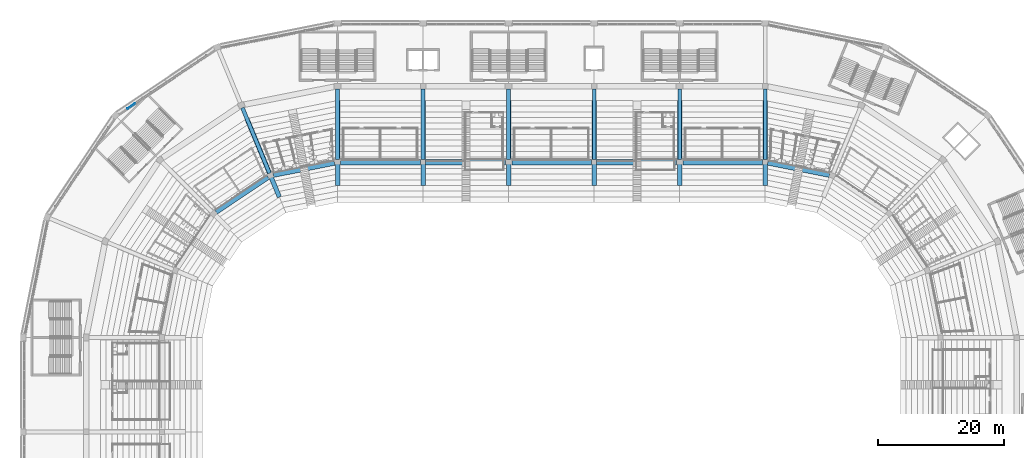
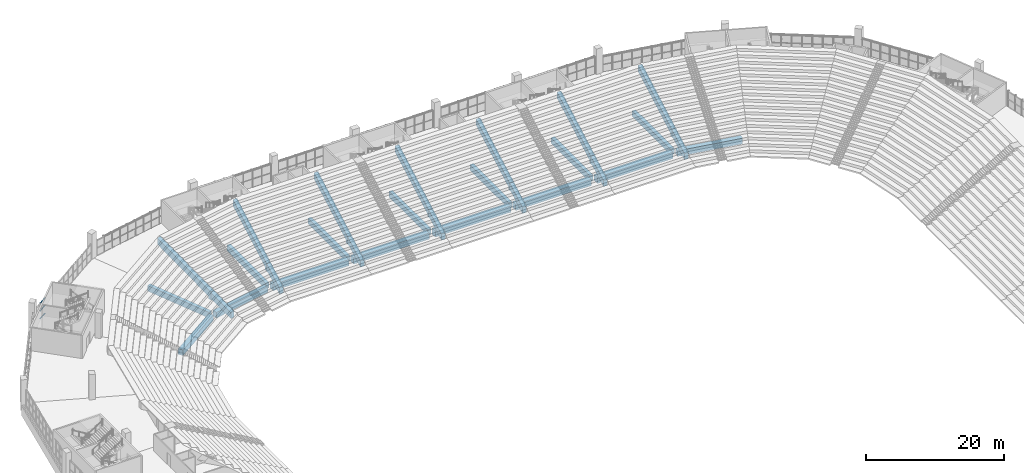
# One storey, part 47 of 249: 29 beams, 3 members, 1 element without a shape of its own.
"""IFC4 building model written with IfcOpenShell, lengths in metres."""

from ifc_helpers import new_model, si_unit, direction, frame, origin, origin_2d, place, context, subcontext, project, spatial, polyline, rectangle, outline, extrude, material, material_profile, profile_set, type_object, element, aggregate, save


model = new_model("IFC4")

# Units and contexts
model_context = context("Model", 3, precision=1e-05, world=origin(), true_north=direction((0.0, 1.0)))
body_context = subcontext(model_context, "Body", "Model", "MODEL_VIEW")
ifc_project = project(units=[si_unit("LENGTHUNIT", "METRE"), si_unit("AREAUNIT", "SQUARE_METRE"), si_unit("VOLUMEUNIT", "CUBIC_METRE"), si_unit("PLANEANGLEUNIT", "RADIAN"), si_unit("MASSUNIT", "GRAM", prefix="KILO")], contexts=[model_context])

# Site, building, storey
site_placement = place(None, origin())
site = spatial("IfcSite", under=ifc_project, at=site_placement, CompositionType="ELEMENT")
building_placement = place(site_placement, origin())
building = spatial("IfcBuilding", under=site, at=building_placement, Name="Ogive Plaza Stadium", CompositionType="ELEMENT")
storey_placement = place(building_placement, frame((0.0, 0.0, 13.5)))
storey = spatial("IfcBuildingStorey", under=building, at=storey_placement, Name="L03", CompositionType="ELEMENT", Elevation=13.5)

# Curtain wall, members
ifc_material_1 = material(Name="Bronze-anodised aluminium with laminated glass", Category="aluminium")
curtain_wall_type = type_object("IfcCurtainWallType", Name="Lancet curtain wall", PredefinedType="NOTDEFINED", material=ifc_material_1)
curtain_wall_placement = place(storey_placement, origin())
curtain_wall = element("IfcCurtainWall", 1, at=curtain_wall_placement, inside=storey, type_object=curtain_wall_type, Name="CURTAIN WALL B30 L03", PredefinedType="NOTDEFINED")
ifc_material_2 = material(Name="Bronze-anodised aluminium", Category="aluminium")
ifc_material_profile_1 = material_profile(ifc_material_2, rectangle(XDim=0.1201171875, YDim=0.050048828125, at=origin_2d()), Name="AL 120x50")
ifc_profile_set_1 = profile_set([ifc_material_profile_1], Name="Bronze-anodised aluminium")
member_type = type_object("IfcMemberType", Name="Curtain wall transom 50x120", PredefinedType="USERDEFINED", material=ifc_profile_set_1)
member_1_placement = place(storey_placement, frame((-67.441650390625, 88.893310546875, 0.02490234375), z_axis=(0.831411982446, 0.555656472512, 0.0), x_axis=(-0.555656472512, 0.831411982446, 0.0)))
member_1 = element("IfcMember", 2, at=member_1_placement, type_object=member_type, Name="CW-B30-L03 transom 2.1", ObjectType="TRANSOM", PredefinedType="USERDEFINED", context=body_context, shape_type="SweptSolid", body=[
    extrude(rectangle(XDim=0.1201171875, YDim=0.050048828125, at=origin_2d()), origin(), (0.0, 0.0, 1.0), 1.472412109375),
])
member_2_placement = place(storey_placement, frame((-67.441650390625, 88.893310546875, 1.39501953125), z_axis=(0.831411982446, 0.555656472512, 0.0), x_axis=(-0.555656472512, 0.831411982446, 0.0)))
member_2 = element("IfcMember", 3, at=member_2_placement, type_object=member_type, Name="CW-B30-L03 transom 2.2", ObjectType="TRANSOM", PredefinedType="USERDEFINED", context=body_context, shape_type="SweptSolid", body=[
    extrude(rectangle(XDim=0.1201171875, YDim=0.050048828125, at=origin_2d()), origin(), (0.0, 0.0, 1.0), 1.472412109375),
])
member_3_placement = place(storey_placement, frame((-67.441650390625, 88.893310546875, 2.764892578125), z_axis=(0.831411982446, 0.555656472512, 0.0), x_axis=(-0.555656472512, 0.831411982446, 0.0)))
member_3 = element("IfcMember", 4, at=member_3_placement, type_object=member_type, Name="CW-B30-L03 transom 2.3", ObjectType="TRANSOM", PredefinedType="USERDEFINED", context=body_context, shape_type="SweptSolid", body=[
    extrude(rectangle(XDim=0.1201171875, YDim=0.050048828125, at=origin_2d()), origin(), (0.0, 0.0, 1.0), 1.472412109375),
])
aggregate(curtain_wall, [member_1, member_2, member_3])

# Beams
ifc_material_3 = material(Name="Concrete C45/55 precast", Category="concrete")
ifc_material_profile_2 = material_profile(ifc_material_3, rectangle(XDim=0.699951171875, YDim=1.10009765625, at=origin_2d()), Name="RC 700x1100")
ifc_profile_set_2 = profile_set([ifc_material_profile_2], Name="Concrete C45/55 precast")
beam_type_1 = type_object("IfcBeamType", Name="Precast raker UT back-span 700x1100", PredefinedType="USERDEFINED", material=ifc_profile_set_2)
for number, where, z_axis, x_axis, name in (
    (5, (-34.0, 52.5, -13.5), (0.0, 0.0, 1.0), (-0.382683432365, 0.923879532511, 0.0), "RAKER UT BACK-SPAN R31"),
    (6, (-34.0, 52.5, -13.5), (0.0, 0.0, 1.0), (0.0, 1.0, 0.0), "RAKER UT BACK-SPAN R32"),
    (7, (-20.39990234375, 52.5, -13.5), (0.0, 0.0, 1.0), (0.0, 1.0, 0.0), "RAKER UT BACK-SPAN R33"),
    (8, (-6.800048828125, 52.5, -13.5), (0.0, 0.0, 1.0), (0.0, 1.0, 0.0), "RAKER UT BACK-SPAN R34"),
    (9, (6.800048828125, 52.5, -13.5), (0.0, 0.0, 1.0), (0.0, 1.0, 0.0), "RAKER UT BACK-SPAN R35"),
    (10, (20.39990234375, 52.5, -13.5), (0.0, 0.0, 1.0), (0.0, 1.0, 0.0), "RAKER UT BACK-SPAN R36"),
    (11, (34.0, 52.5, -13.5), (0.0, 0.0, 1.0), (0.0, 1.0, 0.0), "RAKER UT BACK-SPAN R37"),
):
    element("IfcBeam", number, at=place(storey_placement, frame(where, z_axis=z_axis, x_axis=x_axis)), inside=storey, type_object=beam_type_1, Name=name, ObjectType="RAKER", PredefinedType="USERDEFINED", context=body_context, shape_type="SweptSolid", body=[
        extrude(outline(polyline([(27.89990234375, 15.533203125), (28.300048828125, 15.533203125), (28.300048828125, 15.977783203125), (37.699951171875, 21.199951171875), (37.699951171875, 22.300048828125), (27.89990234375, 16.855712890625), (27.89990234375, 15.533203125)])), frame((0.0, 0.35009765625, 0.0), z_axis=(0.0, -1.0, 0.0), x_axis=(1.0, 0.0, 0.0)), (0.0, 0.0, 1.0), 0.699951171875),
    ])
ifc_material_4 = material(Name="Concrete C45/55 precast", Category="concrete")
ifc_material_profile_3 = material_profile(ifc_material_4, rectangle(XDim=0.699951171875, YDim=1.10009765625, at=origin_2d()), Name="RC 700x1100")
ifc_profile_set_3 = profile_set([ifc_material_profile_3], Name="Concrete C45/55 precast")
beam_type_2 = type_object("IfcBeamType", Name="Precast raker UT cantilever 700x1100", PredefinedType="USERDEFINED", material=ifc_profile_set_3)
for number, where, z_axis, x_axis, name in (
    (12, (-34.0, 52.5, -13.5), (0.0, 0.0, 1.0), (-0.382683432365, 0.923879532511, 0.0), "RAKER UT CANTILEVER R31"),
    (13, (-34.0, 52.5, -13.5), (0.0, 0.0, 1.0), (0.0, 1.0, 0.0), "RAKER UT CANTILEVER R32"),
    (14, (-20.39990234375, 52.5, -13.5), (0.0, 0.0, 1.0), (0.0, 1.0, 0.0), "RAKER UT CANTILEVER R33"),
    (15, (-6.800048828125, 52.5, -13.5), (0.0, 0.0, 1.0), (0.0, 1.0, 0.0), "RAKER UT CANTILEVER R34"),
    (16, (6.800048828125, 52.5, -13.5), (0.0, 0.0, 1.0), (0.0, 1.0, 0.0), "RAKER UT CANTILEVER R35"),
    (17, (20.39990234375, 52.5, -13.5), (0.0, 0.0, 1.0), (0.0, 1.0, 0.0), "RAKER UT CANTILEVER R36"),
    (18, (34.0, 52.5, -13.5), (0.0, 0.0, 1.0), (0.0, 1.0, 0.0), "RAKER UT CANTILEVER R37"),
):
    element("IfcBeam", number, at=place(storey_placement, frame(where, z_axis=z_axis, x_axis=x_axis)), inside=storey, type_object=beam_type_2, Name=name, ObjectType="RAKER", PredefinedType="USERDEFINED", context=body_context, shape_type="SweptSolid", body=[
        extrude(outline(polyline([(24.199951171875, 13.699951171875), (27.5, 15.533203125), (27.89990234375, 15.533203125), (27.89990234375, 16.855712890625), (24.199951171875, 14.800048828125), (24.199951171875, 13.699951171875)])), frame((0.0, 0.35009765625, 0.0), z_axis=(0.0, -1.0, 0.0), x_axis=(1.0, 0.0, 0.0)), (0.0, 0.0, 1.0), 0.699951171875),
    ])
ifc_material_5 = material(Name="Concrete C40/50", Category="concrete")
ifc_material_profile_4 = material_profile(ifc_material_5, rectangle(XDim=0.60009765625, YDim=1.0, at=origin_2d()), Name="RC 600x1000")
ifc_profile_set_4 = profile_set([ifc_material_profile_4], Name="Concrete C40/50")
beam_type_3 = type_object("IfcBeamType", Name="RC radial beam 600x1000", PredefinedType="BEAM", material=ifc_profile_set_4)
beam_1_placement = place(storey_placement, frame((-44.829833984375, 78.645751953125, -0.909912109375), z_axis=(-0.382677616283, 0.92388194159, 0.0), x_axis=(-0.92388194159, -0.382677616283, 0.0)))
element("IfcBeam", 19, at=beam_1_placement, inside=storey, type_object=beam_type_3, Name="Radial beam L03 R31 F3F4", PredefinedType="BEAM", context=body_context, shape_type="SweptSolid", body=[
    extrude(rectangle(XDim=0.60009765625, YDim=1.0, at=origin_2d()), origin(), (0.0, 0.0, 1.0), 11.250244140625),
])
for number, where, z_axis, x_axis, name in (
    (20, (-34.0, 80.800048828125, -0.909912109375), (0.0, 1.0, 0.0), (-1.0, 0.0, 0.0), "Radial beam L03 R32 F3F4"),
    (21, (-20.39990234375, 80.800048828125, -0.909912109375), (0.0, 1.0, 0.0), (-1.0, 0.0, 0.0), "Radial beam L03 R33 F3F4"),
    (22, (-6.800048828125, 80.800048828125, -0.909912109375), (0.0, 1.0, 0.0), (-1.0, 0.0, 0.0), "Radial beam L03 R34 F3F4"),
    (23, (6.800048828125, 80.800048828125, -0.909912109375), (0.0, 1.0, 0.0), (-1.0, 0.0, 0.0), "Radial beam L03 R35 F3F4"),
    (24, (20.39990234375, 80.800048828125, -0.909912109375), (0.0, 1.0, 0.0), (-1.0, 0.0, 0.0), "Radial beam L03 R36 F3F4"),
    (25, (34.0, 80.800048828125, -0.909912109375), (0.0, 1.0, 0.0), (-1.0, 0.0, 0.0), "Radial beam L03 R37 F3F4"),
):
    element("IfcBeam", number, at=place(storey_placement, frame(where, z_axis=z_axis, x_axis=x_axis)), inside=storey, type_object=beam_type_3, Name=name, PredefinedType="BEAM", context=body_context, shape_type="SweptSolid", body=[
        extrude(rectangle(XDim=0.60009765625, YDim=1.0, at=origin_2d()), origin(), (0.0, 0.0, 1.0), 11.25),
    ])
ifc_material_6 = material(Name="Concrete C40/50", Category="concrete")
ifc_material_profile_5 = material_profile(ifc_material_6, rectangle(XDim=0.800048828125, YDim=1.0, at=origin_2d()), Name="RC 800x1000")
ifc_profile_set_5 = profile_set([ifc_material_profile_5], Name="Concrete C40/50")
beam_type_4 = type_object("IfcBeamType", Name="RC ring beam 800x1000", PredefinedType="BEAM", material=ifc_profile_set_5)
beam_2_placement = place(storey_placement, frame((-53.3466796875, 72.483154296875, -0.909912109375), z_axis=(0.831469573595, 0.555570290949, 0.0), x_axis=(-0.555570290949, 0.831469573595, 0.0)))
element("IfcBeam", 26, at=beam_2_placement, inside=storey, type_object=beam_type_4, Name="Ring beam F3 L03 B30", PredefinedType="BEAM", context=body_context, shape_type="SweptSolid", body=[
    extrude(rectangle(XDim=0.800048828125, YDim=1.0, at=origin_2d()), origin(), (0.0, 0.0, 1.0), 9.96826171875),
])
beam_3_placement = place(storey_placement, frame((-44.226806640625, 78.36572265625, -0.909912109375), z_axis=(0.980784656884, 0.195093456635, 0.0), x_axis=(-0.195093456635, 0.980784656884, 0.0)))
element("IfcBeam", 27, at=beam_3_placement, inside=storey, type_object=beam_type_4, Name="Ring beam F3 L03 B31", PredefinedType="BEAM", context=body_context, shape_type="SweptSolid", body=[
    extrude(rectangle(XDim=0.800048828125, YDim=1.0, at=origin_2d()), origin(), (0.0, 0.0, 1.0), 9.91748046875),
])
beam_4_placement = place(storey_placement, frame((34.39990234375, 80.320556640625, -0.909912109375), z_axis=(0.980782584064, -0.195103876937, 0.0), x_axis=(0.195103876937, 0.980782584064, 0.0)))
element("IfcBeam", 28, at=beam_4_placement, inside=storey, type_object=beam_type_4, Name="Ring beam F3 L03 B37", PredefinedType="BEAM", context=body_context, shape_type="SweptSolid", body=[
    extrude(rectangle(XDim=0.800048828125, YDim=1.0, at=origin_2d()), origin(), (0.0, 0.0, 1.0), 10.01953125),
])
ifc_material_7 = material(Name="Concrete C40/50", Category="concrete")
ifc_material_profile_6 = material_profile(ifc_material_7, rectangle(XDim=0.89990234375, YDim=1.10009765625, at=origin_2d()), Name="RC 900x1100")
ifc_profile_set_6 = profile_set([ifc_material_profile_6], Name="Concrete C40/50")
beam_type_5 = type_object("IfcBeamType", Name="RC ring beam 900x1100", PredefinedType="BEAM", material=ifc_profile_set_6)
for number, where, z_axis, x_axis, name in (
    (29, (-33.5, 80.39990234375, -0.9599609375), (1.0, 0.0, 0.0), (0.0, 1.0, 0.0), "Ring beam F3 L03 B32"),
    (30, (-20.0, 80.39990234375, -0.9599609375), (1.0, 0.0, 0.0), (0.0, 1.0, 0.0), "Ring beam F3 L03 B33"),
    (31, (-6.300048828125, 80.39990234375, -0.9599609375), (1.0, 0.0, 0.0), (0.0, 1.0, 0.0), "Ring beam F3 L03 B34"),
    (32, (7.199951171875, 80.39990234375, -0.9599609375), (1.0, 0.0, 0.0), (0.0, 1.0, 0.0), "Ring beam F3 L03 B35"),
):
    element("IfcBeam", number, at=place(storey_placement, frame(where, z_axis=z_axis, x_axis=x_axis)), inside=storey, type_object=beam_type_5, Name=name, PredefinedType="BEAM", context=body_context, shape_type="SweptSolid", body=[
        extrude(rectangle(XDim=0.89990234375, YDim=1.10009765625, at=origin_2d()), origin(), (0.0, 0.0, 1.0), 12.699951171875),
    ])
beam_5_placement = place(storey_placement, frame((20.89990234375, 80.39990234375, -0.9599609375), z_axis=(1.0, 0.0, 0.0), x_axis=(0.0, 1.0, 0.0)))
element("IfcBeam", 33, at=beam_5_placement, inside=storey, type_object=beam_type_5, Name="Ring beam F3 L03 B36", PredefinedType="BEAM", context=body_context, shape_type="SweptSolid", body=[
    extrude(rectangle(XDim=0.89990234375, YDim=1.10009765625, at=origin_2d()), origin(), (0.0, 0.0, 1.0), 12.7001953125),
])

save(model, "model.ifc")
